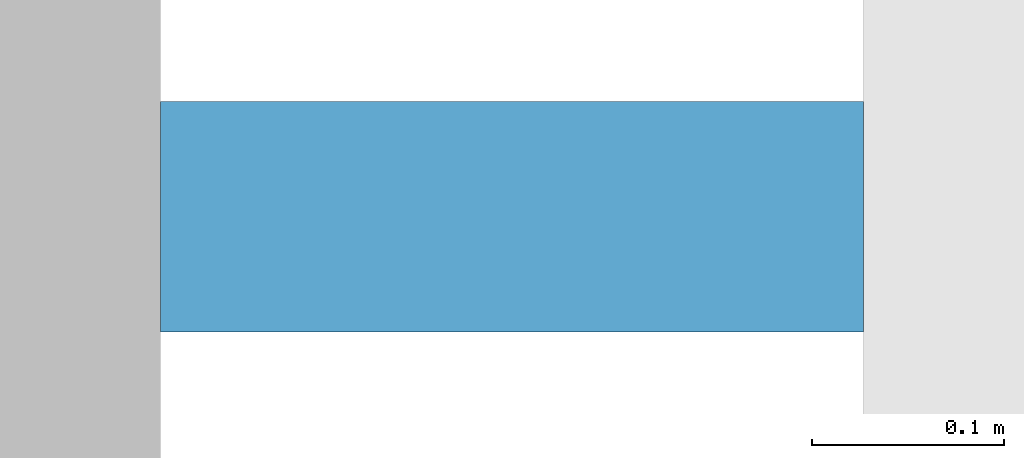
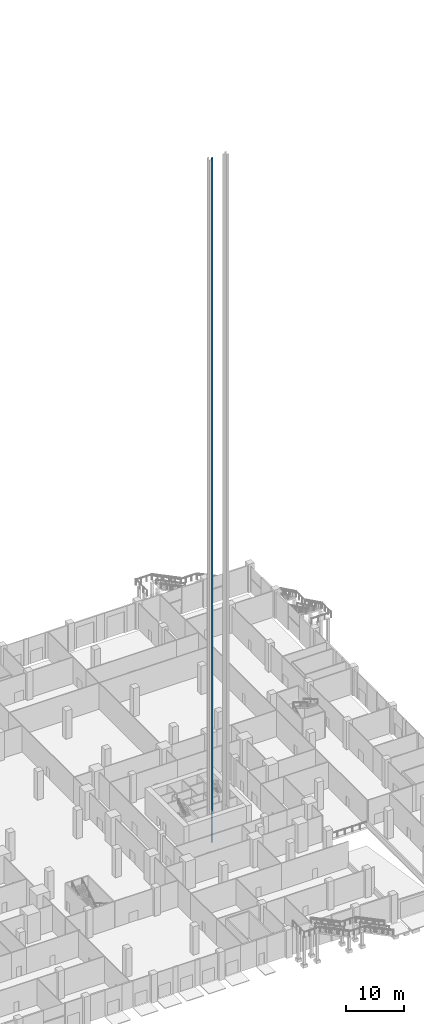
# One storey, part 54 of 68: 1 discrete accessory.
"""IFC4 building model written with IfcOpenShell, lengths in metres."""

from ifc_helpers import new_model, si_unit, direction, frame, origin, origin_2d, place, context, subcontext, project, spatial, rectangle, extrude, element, save


model = new_model("IFC4")

# Units and contexts
model_context = context("Model", 3, precision=1e-05, world=origin(), true_north=direction((0.0, 1.0)))
body_context = subcontext(model_context, "Body", "Model", "MODEL_VIEW")
ifc_project = project(units=[si_unit("LENGTHUNIT", "METRE"), si_unit("AREAUNIT", "SQUARE_METRE"), si_unit("VOLUMEUNIT", "CUBIC_METRE"), si_unit("PLANEANGLEUNIT", "RADIAN"), si_unit("MASSUNIT", "GRAM", prefix="KILO")], contexts=[model_context])

# Site, building, storey
site_placement = place(None, origin())
site = spatial("IfcSite", under=ifc_project, at=site_placement, CompositionType="ELEMENT")
building_placement = place(site_placement, origin())
building = spatial("IfcBuilding", under=site, at=building_placement, Name="Altepetl Exchange Towers", CompositionType="ELEMENT")
storey_placement = place(building_placement, origin())
storey = spatial("IfcBuildingStorey", under=building, at=storey_placement, Name="L00 Ground concourse", CompositionType="ELEMENT", Elevation=0.0)

# Discrete accessory
discrete_accessory_placement = place(storey_placement, frame((110.416748046875, 38.300048828125, -1.60009765625)))
element("IfcDiscreteAccessory", 1, at=discrete_accessory_placement, inside=storey, Name="Guide rail P2", ObjectType="GUIDE RAIL", PredefinedType="USERDEFINED", context=body_context, shape_type="SweptSolid", body=[
    extrude(rectangle(XDim=0.36669921875, YDim=0.1201171875, at=origin_2d()), origin(), (0.0, 0.0, 1.0), 144.85009765625),
])

save(model, "model.ifc")
